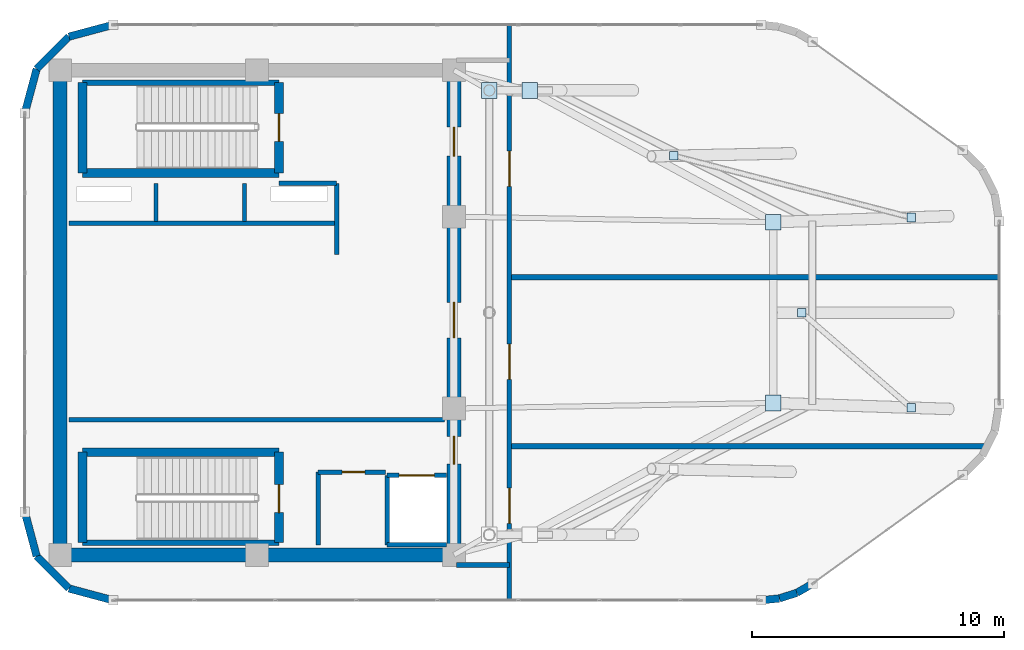
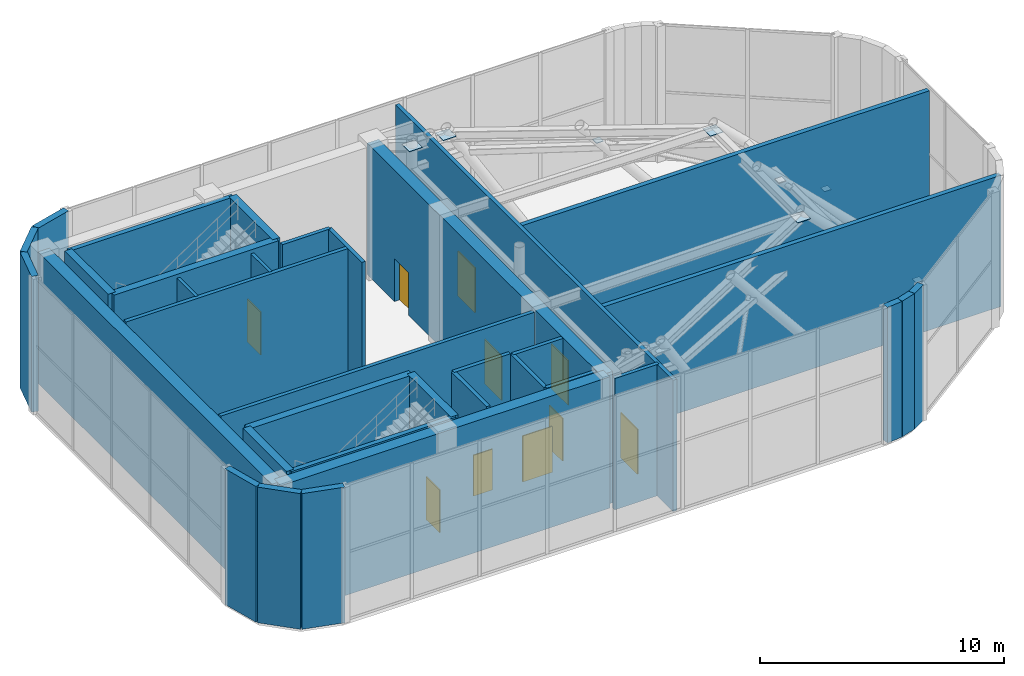
# One storey, part 21 of 23: 35 walls, 10 doors, 8 plates, 10 openings.
"""IFC4 building model written with IfcOpenShell, lengths in metres."""

from ifc_helpers import new_model, si_unit, direction, frame, frame_2d, origin, origin_2d, place, context, subcontext, project, spatial, rectangle, extrude, material, layer, layer_set, type_object, element, fill, save


model = new_model("IFC4")

# Units and contexts
model_context = context("Model", 3, precision=1e-05, world=origin(), true_north=direction((0.0, 1.0)))
body_context = subcontext(model_context, "Body", "Model", "MODEL_VIEW")
ifc_project = project(units=[si_unit("LENGTHUNIT", "METRE"), si_unit("AREAUNIT", "SQUARE_METRE"), si_unit("VOLUMEUNIT", "CUBIC_METRE"), si_unit("PLANEANGLEUNIT", "RADIAN"), si_unit("MASSUNIT", "GRAM", prefix="KILO")], contexts=[model_context])

# Site, building, storey
site_placement = place(None, origin())
site = spatial("IfcSite", under=ifc_project, at=site_placement, CompositionType="ELEMENT")
building_placement = place(site_placement, origin())
building = spatial("IfcBuilding", under=site, at=building_placement, Name="An Khanh Terracotta Commons", CompositionType="ELEMENT")
storey_placement = place(building_placement, frame((0.0, 0.0, 322.0)))
storey = spatial("IfcBuildingStorey", under=building, at=storey_placement, Name="L81 Crown Heat-Recovery Plant", CompositionType="ELEMENT", Elevation=322.0)

# Plates
ifc_material_1 = material(Name="Steel S460ML", Category="steel")
ifc_layer_1 = layer(ifc_material_1, 0.030029296875, Name="Steel S460ML")
ifc_layer_set_1 = layer_set([ifc_layer_1], Name="Steel S460ML")
plate_type_1 = type_object("IfcPlateType", Name="CROWN-CAP-PL", PredefinedType="USERDEFINED", material=ifc_layer_set_1)
for number, where, z_axis, x_axis, name in (
    (1, (55.31005859375, 20.23291015625, 1.3701171875), (0.0, 0.0, 1.0), (1.0, 0.0, 0.0), "L81 Crown Heat-Recovery Plant CROWN FRAME Brace End-Cap Plate 3A"),
    (2, (50.969970703125, 24.0, 5.61083984375), (0.0, 0.0, 1.0), (1.0, 0.0, 0.0), "L81 Crown Heat-Recovery Plant CROWN FRAME Brace End-Cap Plate 3B"),
    (3, (55.31005859375, 27.76708984375, 1.3701171875), (0.0, 0.0, 1.0), (1.0, 0.0, 0.0), "L81 Crown Heat-Recovery Plant CROWN FRAME Brace End-Cap Plate 4A"),
    (4, (45.9150390625, 30.208984375, 5.61083984375), (0.0, 0.0, 1.0), (1.0, 0.0, 0.0), "L81 Crown Heat-Recovery Plant CROWN FRAME Brace End-Cap Plate 4B"),
):
    element("IfcPlate", number, at=place(storey_placement, frame(where, z_axis=z_axis, x_axis=x_axis)), inside=storey, type_object=plate_type_1, Name=name, ObjectType="FLANGE_PLATE", PredefinedType="USERDEFINED", context=body_context, shape_type="SweptSolid", body=[
        extrude(rectangle(XDim=0.340087890625, YDim=0.340087890625, at=origin_2d()), origin(), (0.0, 0.0, 1.0), 0.030029296875),
    ])
ifc_layer_2 = layer(ifc_material_1, 0.02490234375, Name="Steel S460ML")
ifc_layer_set_2 = layer_set([ifc_layer_2], Name="Steel S460ML")
plate_type_2 = type_object("IfcPlateType", Name="PLATE-GUSSET-25", PredefinedType="USERDEFINED", material=ifc_layer_set_2)
for number, where, z_axis, x_axis, name in (
    (5, (49.85009765625, 20.419921875, 6.317626953125), (0.0, 0.0, 1.0), (1.0, 0.0, 0.0), "L81 Crown Heat-Recovery Plant CROWN FRAME Node End-Cap Plate 3"),
    (6, (49.85009765625, 27.580078125, 6.317626953125), (0.0, 0.0, 1.0), (1.0, 0.0, 0.0), "L81 Crown Heat-Recovery Plant CROWN FRAME Node End-Cap Plate 4"),
    (7, (40.199951171875, 32.800048828125, 6.317626953125), (0.0, 0.0, 1.0), (1.0, 0.0, 0.0), "L81 Crown Heat-Recovery Plant CROWN FRAME Node End-Cap Plate 5"),
    (8, (38.60009765625, 32.800048828125, 6.317626953125), (0.0, 0.0, 1.0), (1.0, 0.0, 0.0), "L81 Crown Heat-Recovery Plant CROWN FRAME Node End-Cap Plate 6"),
):
    element("IfcPlate", number, at=place(storey_placement, frame(where, z_axis=z_axis, x_axis=x_axis)), inside=storey, type_object=plate_type_2, Name=name, ObjectType="FLANGE_PLATE", PredefinedType="USERDEFINED", context=body_context, shape_type="SweptSolid", body=[
        extrude(rectangle(XDim=0.6201171875, YDim=0.6201171875, at=origin_2d()), origin(), (0.0, 0.0, 1.0), 0.02490234375),
    ])

# Walls
ifc_material_2 = material(Name="Concrete C50/60", Category="concrete")
ifc_layer_3 = layer(ifc_material_2, 0.550048828125, Name="Concrete C50/60")
ifc_layer_set_3 = layer_set([ifc_layer_3], Name="Concrete C50/60")
wall_type_1 = type_object("IfcWallType", Name="WALL-CORE-550", PredefinedType="SHEAR", material=ifc_layer_set_3)
wall_1_placement = place(storey_placement, frame((21.60009765625, 14.39990234375, 0.0), z_axis=(0.0, 0.0, 1.0), x_axis=(0.0, 1.0, 0.0)))
element("IfcWall", 9, at=wall_1_placement, inside=storey, type_object=wall_type_1, Name="L81 Crown Heat-Recovery Plant Core Wall CWALL-L81 Crown Heat-Recovery Plant-W", PredefinedType="SHEAR", context=body_context, shape_type="SweptSolid", body=[
    extrude(rectangle(XDim=19.2001953125, YDim=0.550048828125, at=frame_2d((9.60009765625, 0.0))), origin(), (0.0, 0.0, 1.0), 6.580078125),
])
wall_2_placement = place(storey_placement, frame((37.199951171875, 14.39990234375, 0.0), z_axis=(0.0, 0.0, 1.0), x_axis=(-1.0, 0.0, 0.0)))
element("IfcWall", 10, at=wall_2_placement, inside=storey, type_object=wall_type_1, Name="L81 Crown Heat-Recovery Plant Core Wall CWALL-L81 Crown Heat-Recovery Plant-S", PredefinedType="SHEAR", context=body_context, shape_type="SweptSolid", body=[
    extrude(rectangle(XDim=15.599853515625, YDim=0.550048828125, at=frame_2d((7.7998046875, 0.0))), origin(), (0.0, 0.0, 1.0), 6.580078125),
])

# Wall, openings, doors
wall_3_placement = place(storey_placement, frame((37.199951171875, 14.39990234375, 0.0), z_axis=(0.0, 0.0, 1.0), x_axis=(0.0, 1.0, 0.0)))
wall_3 = element("IfcWall", 11, at=wall_3_placement, inside=storey, type_object=wall_type_1, Name="L81 Crown Heat-Recovery Plant Core Wall CWALL-L81 Crown Heat-Recovery Plant-E", PredefinedType="SHEAR", context=body_context, shape_type="SweptSolid", body=[
    extrude(rectangle(XDim=19.2001953125, YDim=0.550048828125, at=frame_2d((9.60009765625, 0.0))), origin(), (0.0, 0.0, 1.0), 6.580078125),
])
opening_1_placement = place(wall_3_placement, frame((15.800048828125, 0.0, 0.0)))
opening_1 = element("IfcOpeningElement", 12, at=opening_1_placement, cuts=wall_3, Name="Opening D-FFL", PredefinedType="OPENING", context=body_context, shape_type="SweptSolid", body=[
    extrude(rectangle(XDim=1.14990234375, YDim=2.14990234375, at=frame_2d((0.574951171875, 1.074951171875))), frame((0.0, 0.284912109375, 0.0), z_axis=(0.0, -1.0, 0.0), x_axis=(1.0, 0.0, 0.0)), (0.0, 0.0, 1.0), 0.570068359375),
])
opening_2_placement = place(wall_3_placement, frame((3.60009765625, 0.0, 0.0)))
opening_2 = element("IfcOpeningElement", 13, at=opening_2_placement, cuts=wall_3, Name="Opening D-ST", PredefinedType="OPENING", context=body_context, shape_type="SweptSolid", body=[
    extrude(rectangle(XDim=1.10009765625, YDim=2.14990234375, at=frame_2d((0.550048828125, 1.074951171875))), frame((0.0, 0.284912109375, 0.0), z_axis=(0.0, -1.0, 0.0), x_axis=(1.0, 0.0, 0.0)), (0.0, 0.0, 1.0), 0.570068359375),
])
opening_3_placement = place(wall_3_placement, frame((8.60009765625, 0.0, 0.0)))
opening_3 = element("IfcOpeningElement", 14, at=opening_3_placement, cuts=wall_3, Name="Opening D-PL", PredefinedType="OPENING", context=body_context, shape_type="SweptSolid", body=[
    extrude(rectangle(XDim=1.39990234375, YDim=2.25, at=frame_2d((0.699951171875, 1.125))), frame((0.0, 0.284912109375, 0.0), z_axis=(0.0, -1.0, 0.0), x_axis=(1.0, 0.0, 0.0)), (0.0, 0.0, 1.0), 0.570068359375),
])
ifc_material_3 = material(Name="Fire-Rated Steel Leaf and Vision Panel", Category="steel")
door_type_1 = type_object("IfcDoorType", Name="DOOR-FFL-1150", OperationType="NOTDEFINED", PredefinedType="DOOR", material=ifc_material_3)
door_1_placement = place(opening_1_placement, origin())
door_1 = element("IfcDoor", 15, at=door_1_placement, inside=storey, type_object=door_type_1, Name="L81 Crown Heat-Recovery Plant Firefighting Lift Lobby Fire Door", OperationType="SINGLE_SWING_RIGHT", OverallHeight=2.14990234375, OverallWidth=1.14990234375, PredefinedType="DOOR", context=body_context, shape_type="SweptSolid", body=[
    extrude(rectangle(XDim=1.14990234375, YDim=2.14990234375, at=frame_2d((0.574951171875, 1.074951171875))), frame((0.0, 0.02490234375, 0.0), z_axis=(0.0, -1.0, 0.0), x_axis=(1.0, 0.0, 0.0)), (0.0, 0.0, 1.0), 0.050048828125),
])
fill(opening_1, door_1)
ifc_material_4 = material(Name="Heavy-Duty Acoustic Steel Double Plant Door", Category="steel")
door_type_2 = type_object("IfcDoorType", Name="DOOR-PLANT-1400", OperationType="NOTDEFINED", PredefinedType="DOOR", material=ifc_material_4)
door_2_placement = place(opening_3_placement, origin())
door_2 = element("IfcDoor", 16, at=door_2_placement, inside=storey, type_object=door_type_2, Name="L81 Crown Heat-Recovery Plant Crown Core Lobby Door", OperationType="DOUBLE_DOOR_SINGLE_SWING", OverallHeight=2.25, OverallWidth=1.39990234375, PredefinedType="DOOR", context=body_context, shape_type="SweptSolid", body=[
    extrude(rectangle(XDim=1.39990234375, YDim=2.25, at=frame_2d((0.699951171875, 1.125))), frame((0.0, 0.02490234375, 0.0), z_axis=(0.0, -1.0, 0.0), x_axis=(1.0, 0.0, 0.0)), (0.0, 0.0, 1.0), 0.050048828125),
])
fill(opening_3, door_2)
ifc_material_5 = material(Name="Fire-Rated Steel Leaf and Frame", Category="steel")
door_type_3 = type_object("IfcDoorType", Name="DOOR-STAIR-1100", OperationType="NOTDEFINED", PredefinedType="DOOR", material=ifc_material_5)
door_3_placement = place(opening_2_placement, origin())
door_3 = element("IfcDoor", 17, at=door_3_placement, inside=storey, type_object=door_type_3, Name="L81 Crown Heat-Recovery Plant South Stair Lobby Fire Door", OperationType="SINGLE_SWING_LEFT", OverallHeight=2.14990234375, OverallWidth=1.10009765625, PredefinedType="DOOR", context=body_context, shape_type="SweptSolid", body=[
    extrude(rectangle(XDim=1.10009765625, YDim=2.14990234375, at=frame_2d((0.550048828125, 1.074951171875))), frame((0.0, 0.02490234375, 0.0), z_axis=(0.0, -1.0, 0.0), x_axis=(1.0, 0.0, 0.0)), (0.0, 0.0, 1.0), 0.050048828125),
])
fill(opening_2, door_3)

# Walls
ifc_material_6 = material(Name="Fire-Rated Gypsum Board on Steel Stud", Category="steel")
ifc_layer_4 = layer(ifc_material_6, 0.179931640625, Name="Fire-Rated Gypsum Board on Steel Stud")
ifc_layer_set_4 = layer_set([ifc_layer_4], Name="Fire-Rated Gypsum Board on Steel Stud")
wall_type_2 = type_object("IfcWallType", Name="WALL-CORR-180", PredefinedType="PARTITIONING", material=ifc_layer_set_4)
wall_4_placement = place(storey_placement, frame((30.27001953125, 29.1201171875, 0.0), z_axis=(0.0, 0.0, 1.0), x_axis=(1.0, 0.0, 0.0)))
element("IfcWall", 18, at=wall_4_placement, inside=storey, type_object=wall_type_2, Name="L81 Crown Heat-Recovery Plant Core Wall FFLW-L81 Crown Heat-Recovery Plant-S", PredefinedType="PARTITIONING", context=body_context, shape_type="SweptSolid", body=[
    extrude(rectangle(XDim=2.280029296875, YDim=0.179931640625, at=frame_2d((1.14013671875, 0.0))), origin(), (0.0, 0.0, 1.0), 6.580078125),
])
wall_5_placement = place(storey_placement, frame((21.949951171875, 27.5400390625, 0.0), z_axis=(0.0, 0.0, 1.0), x_axis=(1.0, 0.0, 0.0)))
element("IfcWall", 19, at=wall_5_placement, inside=storey, type_object=wall_type_2, Name="L81 Crown Heat-Recovery Plant Core Wall RSRW-L81 Crown Heat-Recovery Plant-S", PredefinedType="PARTITIONING", context=body_context, shape_type="SweptSolid", body=[
    extrude(rectangle(XDim=10.60009765625, YDim=0.179931640625, at=frame_2d((5.300048828125, 0.0))), origin(), (0.0, 0.0, 1.0), 6.580078125),
])
wall_6_placement = place(storey_placement, frame((32.550048828125, 26.300048828125, 0.0), z_axis=(0.0, 0.0, 1.0), x_axis=(0.0, 1.0, 0.0)))
element("IfcWall", 20, at=wall_6_placement, inside=storey, type_object=wall_type_2, Name="L81 Crown Heat-Recovery Plant Core Wall RSRW-L81 Crown Heat-Recovery Plant-E", PredefinedType="PARTITIONING", context=body_context, shape_type="SweptSolid", body=[
    extrude(rectangle(XDim=2.820068359375, YDim=0.179931640625, at=frame_2d((1.41015625, 0.0))), origin(), (0.0, 0.0, 1.0), 6.580078125),
])
wall_7_placement = place(storey_placement, frame((21.949951171875, 19.760009765625, 0.0), z_axis=(0.0, 0.0, 1.0), x_axis=(1.0, 0.0, 0.0)))
element("IfcWall", 21, at=wall_7_placement, inside=storey, type_object=wall_type_2, Name="L81 Crown Heat-Recovery Plant Core Wall SVW-L81 Crown Heat-Recovery Plant-N", PredefinedType="PARTITIONING", context=body_context, shape_type="SweptSolid", body=[
    extrude(rectangle(XDim=14.8701171875, YDim=0.179931640625, at=frame_2d((7.43505859375, 0.0))), origin(), (0.0, 0.0, 1.0), 6.580078125),
])

# Wall, opening, door
wall_8_placement = place(storey_placement, frame((31.820068359375, 17.679931640625, 0.0), z_axis=(0.0, 0.0, 1.0), x_axis=(1.0, 0.0, 0.0)))
wall_8 = element("IfcWall", 22, at=wall_8_placement, inside=storey, type_object=wall_type_2, Name="L81 Crown Heat-Recovery Plant Core Wall SSVCW-L81 Crown Heat-Recovery Plant-N", PredefinedType="PARTITIONING", context=body_context, shape_type="SweptSolid", body=[
    extrude(rectangle(XDim=2.659912109375, YDim=0.179931640625, at=frame_2d((1.330078125, 0.0))), origin(), (0.0, 0.0, 1.0), 6.580078125),
])
opening_4_placement = place(wall_8_placement, frame((0.949951171875, 0.0, 0.0)))
opening_4 = element("IfcOpeningElement", 23, at=opening_4_placement, cuts=wall_8, Name="Opening D-SV", PredefinedType="OPENING", context=body_context, shape_type="SweptSolid", body=[
    extrude(rectangle(XDim=0.89990234375, YDim=2.050048828125, at=frame_2d((0.449951171875, 1.02490234375))), frame((0.0, 0.099853515625, 0.0), z_axis=(0.0, -1.0, 0.0), x_axis=(1.0, 0.0, 0.0)), (0.0, 0.0, 1.0), 0.199951171875),
])
ifc_material_7 = material(Name="Fire-Rated Powder-Coated Steel Door", Category="steel")
door_type_4 = type_object("IfcDoorType", Name="DOOR-SERV-900", OperationType="NOTDEFINED", PredefinedType="DOOR", material=ifc_material_7)
door_4_placement = place(opening_4_placement, origin())
door_4 = element("IfcDoor", 24, at=door_4_placement, inside=storey, type_object=door_type_4, Name="L81 Crown Heat-Recovery Plant Core Housekeeping Store Door", OperationType="SINGLE_SWING_RIGHT", OverallHeight=2.050048828125, OverallWidth=0.89990234375, PredefinedType="DOOR", context=body_context, shape_type="SweptSolid", body=[
    extrude(rectangle(XDim=0.89990234375, YDim=2.050048828125, at=frame_2d((0.449951171875, 1.02490234375))), frame((0.0, 0.02490234375, 0.0), z_axis=(0.0, -1.0, 0.0), x_axis=(1.0, 0.0, 0.0)), (0.0, 0.0, 1.0), 0.050048828125),
])
fill(opening_4, door_4)

# Wall
wall_9_placement = place(storey_placement, frame((31.820068359375, 14.800048828125, 0.0), z_axis=(0.0, 0.0, 1.0), x_axis=(0.0, 1.0, 0.0)))
element("IfcWall", 25, at=wall_9_placement, inside=storey, type_object=wall_type_2, Name="L81 Crown Heat-Recovery Plant Core Wall SSVCW-L81 Crown Heat-Recovery Plant-W", PredefinedType="PARTITIONING", context=body_context, shape_type="SweptSolid", body=[
    extrude(rectangle(XDim=2.8798828125, YDim=0.179931640625, at=frame_2d((1.43994140625, 0.0))), origin(), (0.0, 0.0, 1.0), 6.580078125),
])

# Wall, opening, door
wall_10_placement = place(storey_placement, frame((34.550048828125, 17.550048828125, 0.0), z_axis=(0.0, 0.0, 1.0), x_axis=(1.0, 0.0, 0.0)))
wall_10 = element("IfcWall", 26, at=wall_10_placement, inside=storey, type_object=wall_type_2, Name="L81 Crown Heat-Recovery Plant Core Wall LSH-L81 Crown Heat-Recovery Plant-SVL-01-N", PredefinedType="PARTITIONING", context=body_context, shape_type="SweptSolid", body=[
    extrude(rectangle(XDim=2.349853515625, YDim=0.179931640625, at=frame_2d((1.1748046875, 0.0))), origin(), (0.0, 0.0, 1.0), 6.580078125),
])
opening_5_placement = place(wall_10_placement, frame((0.47509765625, 0.0, 0.0)))
opening_5 = element("IfcOpeningElement", 27, at=opening_5_placement, cuts=wall_10, Name="Opening LD-SVL-01-L81 Crown Heat-Recovery Plant", PredefinedType="OPENING", context=body_context, shape_type="SweptSolid", body=[
    extrude(rectangle(XDim=1.39990234375, YDim=2.300048828125, at=frame_2d((0.699951171875, 1.14990234375))), frame((0.0, 0.099853515625, 0.0), z_axis=(0.0, -1.0, 0.0), x_axis=(1.0, 0.0, 0.0)), (0.0, 0.0, 1.0), 0.199951171875),
])
ifc_material_8 = material(Name="Heavy-Duty Stainless Steel Goods Landing Door", Category="steel")
door_type_5 = type_object("IfcDoorType", Name="DOOR-LD-SVL-1400", OperationType="NOTDEFINED", PredefinedType="DOOR", material=ifc_material_8)
door_5_placement = place(opening_5_placement, origin())
door_5 = element("IfcDoor", 28, at=door_5_placement, inside=storey, type_object=door_type_5, Name="L81 Crown Heat-Recovery Plant Lift SVL-01 Sliding Landing Door", OperationType="DOUBLE_DOOR_SLIDING", OverallHeight=2.300048828125, OverallWidth=1.39990234375, PredefinedType="DOOR", context=body_context, shape_type="SweptSolid", body=[
    extrude(rectangle(XDim=1.39990234375, YDim=2.300048828125, at=frame_2d((0.699951171875, 1.14990234375))), frame((0.0, 0.02490234375, 0.0), z_axis=(0.0, -1.0, 0.0), x_axis=(1.0, 0.0, 0.0)), (0.0, 0.0, 1.0), 0.050048828125),
])
fill(opening_5, door_5)

# Walls
wall_11_placement = place(storey_placement, frame((36.89990234375, 14.800048828125, 0.0), z_axis=(0.0, 0.0, 1.0), x_axis=(-1.0, 0.0, 0.0)))
element("IfcWall", 29, at=wall_11_placement, inside=storey, type_object=wall_type_2, Name="L81 Crown Heat-Recovery Plant Core Wall LSH-L81 Crown Heat-Recovery Plant-SVL-01-S", PredefinedType="PARTITIONING", context=body_context, shape_type="SweptSolid", body=[
    extrude(rectangle(XDim=2.349853515625, YDim=0.179931640625, at=frame_2d((1.1748046875, 0.0))), origin(), (0.0, 0.0, 1.0), 6.580078125),
])
wall_12_placement = place(storey_placement, frame((34.550048828125, 17.550048828125, 0.0), z_axis=(0.0, 0.0, 1.0), x_axis=(0.0, -1.0, 0.0)))
element("IfcWall", 30, at=wall_12_placement, inside=storey, type_object=wall_type_2, Name="L81 Crown Heat-Recovery Plant Core Wall LSH-L81 Crown Heat-Recovery Plant-SVL-01-W", PredefinedType="PARTITIONING", context=body_context, shape_type="SweptSolid", body=[
    extrude(rectangle(XDim=2.75, YDim=0.179931640625, at=frame_2d((1.375, 0.0))), origin(), (0.0, 0.0, 1.0), 6.580078125),
])
wall_13_placement = place(storey_placement, frame((37.300048828125, 14.0, 0.0), z_axis=(0.0, 0.0, 1.0), x_axis=(1.0, 0.0, 0.0)))
element("IfcWall", 31, at=wall_13_placement, inside=storey, type_object=wall_type_2, Name="L81 Crown Heat-Recovery Plant Interior Partition IW-L81 Crown Heat-Recovery Plant-E001", PredefinedType="PARTITIONING", context=body_context, shape_type="SweptSolid", body=[
    extrude(rectangle(XDim=2.099853515625, YDim=0.179931640625, at=frame_2d((1.0498046875, 0.0))), origin(), (0.0, 0.0, 1.0), 6.580078125),
])

# Wall, openings, doors
wall_14_placement = place(storey_placement, frame((39.39990234375, 12.60009765625, 0.0), z_axis=(0.0, 0.0, 1.0), x_axis=(0.0, 1.0, 0.0)))
wall_14 = element("IfcWall", 32, at=wall_14_placement, inside=storey, type_object=wall_type_2, Name="L81 Crown Heat-Recovery Plant Interior Partition IW-L81 Crown Heat-Recovery Plant-E005", PredefinedType="PARTITIONING", context=body_context, shape_type="SweptSolid", body=[
    extrude(rectangle(XDim=22.7998046875, YDim=0.179931640625, at=frame_2d((11.39990234375, 0.0))), origin(), (0.0, 0.0, 1.0), 6.580078125),
])
opening_6_placement = place(wall_14_placement, frame((16.39990234375, 0.0, 0.0)))
opening_6 = element("IfcOpeningElement", 33, at=opening_6_placement, cuts=wall_14, Name="Opening D-PL", PredefinedType="OPENING", context=body_context, shape_type="SweptSolid", body=[
    extrude(rectangle(XDim=1.39990234375, YDim=2.25, at=frame_2d((0.699951171875, 1.125))), frame((0.0, 0.099853515625, 0.0), z_axis=(0.0, -1.0, 0.0), x_axis=(1.0, 0.0, 0.0)), (0.0, 0.0, 1.0), 0.199951171875),
])
opening_7_placement = place(wall_14_placement, frame((8.75, 0.0, 0.0)))
opening_7 = element("IfcOpeningElement", 34, at=opening_7_placement, cuts=wall_14, Name="Opening D-PL", PredefinedType="OPENING", context=body_context, shape_type="SweptSolid", body=[
    extrude(rectangle(XDim=1.39990234375, YDim=2.25, at=frame_2d((0.699951171875, 1.125))), frame((0.0, 0.099853515625, 0.0), z_axis=(0.0, -1.0, 0.0), x_axis=(1.0, 0.0, 0.0)), (0.0, 0.0, 1.0), 0.199951171875),
])
opening_8_placement = place(wall_14_placement, frame((3.050048828125, 0.0, 0.0)))
opening_8 = element("IfcOpeningElement", 35, at=opening_8_placement, cuts=wall_14, Name="Opening D-PL", PredefinedType="OPENING", context=body_context, shape_type="SweptSolid", body=[
    extrude(rectangle(XDim=1.39990234375, YDim=2.25, at=frame_2d((0.699951171875, 1.125))), frame((0.0, 0.099853515625, 0.0), z_axis=(0.0, -1.0, 0.0), x_axis=(1.0, 0.0, 0.0)), (0.0, 0.0, 1.0), 0.199951171875),
])
door_6_placement = place(opening_6_placement, origin())
door_6 = element("IfcDoor", 36, at=door_6_placement, inside=storey, type_object=door_type_2, Name="L81 Crown Heat-Recovery Plant HRV Ventilation Air Handling Plant Room Door", OperationType="DOUBLE_DOOR_SINGLE_SWING", OverallHeight=2.25, OverallWidth=1.39990234375, PredefinedType="DOOR", context=body_context, shape_type="SweptSolid", body=[
    extrude(rectangle(XDim=1.39990234375, YDim=2.25, at=frame_2d((0.699951171875, 1.125))), frame((0.0, 0.02490234375, 0.0), z_axis=(0.0, -1.0, 0.0), x_axis=(1.0, 0.0, 0.0)), (0.0, 0.0, 1.0), 0.050048828125),
])
fill(opening_6, door_6)
door_7_placement = place(opening_7_placement, origin())
door_7 = element("IfcDoor", 37, at=door_7_placement, inside=storey, type_object=door_type_2, Name="L81 Crown Heat-Recovery Plant PFAN Booster Water Pump Plant Room Door", OperationType="DOUBLE_DOOR_SINGLE_SWING", OverallHeight=2.25, OverallWidth=1.39990234375, PredefinedType="DOOR", context=body_context, shape_type="SweptSolid", body=[
    extrude(rectangle(XDim=1.39990234375, YDim=2.25, at=frame_2d((0.699951171875, 1.125))), frame((0.0, 0.02490234375, 0.0), z_axis=(0.0, -1.0, 0.0), x_axis=(1.0, 0.0, 0.0)), (0.0, 0.0, 1.0), 0.050048828125),
])
fill(opening_7, door_7)
door_8_placement = place(opening_8_placement, origin())
door_8 = element("IfcDoor", 38, at=door_8_placement, inside=storey, type_object=door_type_2, Name="L81 Crown Heat-Recovery Plant UPS Emergency Electrical Switchgear Plant Room Door", OperationType="DOUBLE_DOOR_SINGLE_SWING", OverallHeight=2.25, OverallWidth=1.39990234375, PredefinedType="DOOR", context=body_context, shape_type="SweptSolid", body=[
    extrude(rectangle(XDim=1.39990234375, YDim=2.25, at=frame_2d((0.699951171875, 1.125))), frame((0.0, 0.02490234375, 0.0), z_axis=(0.0, -1.0, 0.0), x_axis=(1.0, 0.0, 0.0)), (0.0, 0.0, 1.0), 0.050048828125),
])
fill(opening_8, door_8)

# Walls
ifc_material_9 = material(Name="Precast concrete C40/50", Category="concrete")
ifc_layer_5 = layer(ifc_material_9, 0.300048828125, Name="Precast concrete C40/50")
ifc_layer_set_5 = layer_set([ifc_layer_5], Name="Precast concrete C40/50")
wall_type_3 = type_object("IfcWallType", Name="WALL-EXT-300", PredefinedType="SOLIDWALL", material=ifc_layer_set_5)
wall_15_placement = place(storey_placement, frame((20.199951171875, 16.10009765625, 0.0), z_axis=(0.0, 0.0, 1.0), x_axis=(0.258861815711, -0.965914364924, 0.0)))
element("IfcWall", 39, at=wall_15_placement, inside=storey, type_object=wall_type_3, Name="L81 Crown Heat-Recovery Plant Crown Facet Corner Closure 1", PredefinedType="SOLIDWALL", context=body_context, shape_type="SweptSolid", body=[
    extrude(rectangle(XDim=1.811767578125, YDim=0.300048828125, at=frame_2d((0.90576171875, 0.0))), origin(), (0.0, 0.0, 1.0), 6.800048828125),
])
wall_16_placement = place(storey_placement, frame((20.6689453125, 14.35009765625, 0.0), z_axis=(0.0, 0.0, 1.0), x_axis=(0.707106781187, -0.707106781187, 0.0)))
element("IfcWall", 40, at=wall_16_placement, inside=storey, type_object=wall_type_3, Name="L81 Crown Heat-Recovery Plant Crown Facet Corner Closure 2", PredefinedType="SOLIDWALL", context=body_context, shape_type="SweptSolid", body=[
    extrude(rectangle(XDim=1.8115234375, YDim=0.300048828125, at=frame_2d((0.90576171875, 0.0))), origin(), (0.0, 0.0, 1.0), 6.800048828125),
])
wall_17_placement = place(storey_placement, frame((21.949951171875, 13.069091796875, 0.0), z_axis=(0.0, 0.0, 1.0), x_axis=(0.965914364924, -0.258861815711, 0.0)))
element("IfcWall", 41, at=wall_17_placement, inside=storey, type_object=wall_type_3, Name="L81 Crown Heat-Recovery Plant Crown Facet Corner Closure 3", PredefinedType="SOLIDWALL", context=body_context, shape_type="SweptSolid", body=[
    extrude(rectangle(XDim=1.811767578125, YDim=0.300048828125, at=frame_2d((0.90576171875, 0.0))), origin(), (0.0, 0.0, 1.0), 6.800048828125),
])
for number, where, z_axis, x_axis, name in (
    (42, (49.366943359375, 12.60009765625, 0.0), (0.0, 0.0, 1.0), (0.99456218804, 0.104144390734, 0.0), "L81 Crown Heat-Recovery Plant Crown Facet Corner Closure 5"),
    (43, (50.092041015625, 12.676025390625, 0.0), (0.0, 0.0, 1.0), (0.951686522408, 0.307071267082, 0.0), "L81 Crown Heat-Recovery Plant Crown Facet Corner Closure 6"),
):
    element("IfcWall", number, at=place(storey_placement, frame(where, z_axis=z_axis, x_axis=x_axis)), inside=storey, type_object=wall_type_3, Name=name, PredefinedType="SOLIDWALL", context=body_context, shape_type="SweptSolid", body=[
        extrude(rectangle(XDim=0.72900390625, YDim=0.300048828125, at=frame_2d((0.364501953125, 0.0))), origin(), (0.0, 0.0, 1.0), 6.800048828125),
    ])
wall_18_placement = place(storey_placement, frame((50.785888671875, 12.89990234375, 0.0), z_axis=(0.0, 0.0, 1.0), x_axis=(0.866569821449, 0.49905585314, 0.0)))
element("IfcWall", 44, at=wall_18_placement, inside=storey, type_object=wall_type_3, Name="L81 Crown Heat-Recovery Plant Crown Facet Corner Closure 7", PredefinedType="SOLIDWALL", context=body_context, shape_type="SweptSolid", body=[
    extrude(rectangle(XDim=0.7294921875, YDim=0.300048828125, at=frame_2d((0.36474609375, 0.0))), origin(), (0.0, 0.0, 1.0), 6.800048828125),
])
wall_19_placement = place(storey_placement, frame((23.699951171875, 35.39990234375, 0.0), z_axis=(0.0, 0.0, 1.0), x_axis=(-0.965914364924, -0.258861815711, 0.0)))
element("IfcWall", 45, at=wall_19_placement, inside=storey, type_object=wall_type_3, Name="L81 Crown Heat-Recovery Plant Crown Facet Corner Closure 21", PredefinedType="SOLIDWALL", context=body_context, shape_type="SweptSolid", body=[
    extrude(rectangle(XDim=1.811767578125, YDim=0.300048828125, at=frame_2d((0.90576171875, 0.0))), origin(), (0.0, 0.0, 1.0), 6.800048828125),
])
wall_20_placement = place(storey_placement, frame((21.949951171875, 34.930908203125, 0.0), z_axis=(0.0, 0.0, 1.0), x_axis=(-0.707106781187, -0.707106781187, 0.0)))
element("IfcWall", 46, at=wall_20_placement, inside=storey, type_object=wall_type_3, Name="L81 Crown Heat-Recovery Plant Crown Facet Corner Closure 22", PredefinedType="SOLIDWALL", context=body_context, shape_type="SweptSolid", body=[
    extrude(rectangle(XDim=1.8115234375, YDim=0.300048828125, at=frame_2d((0.90576171875, 0.0))), origin(), (0.0, 0.0, 1.0), 6.800048828125),
])
wall_21_placement = place(storey_placement, frame((20.6689453125, 33.64990234375, 0.0), z_axis=(0.0, 0.0, 1.0), x_axis=(-0.258861815711, -0.965914364924, 0.0)))
element("IfcWall", 47, at=wall_21_placement, inside=storey, type_object=wall_type_3, Name="L81 Crown Heat-Recovery Plant Crown Facet Corner Closure 23", PredefinedType="SOLIDWALL", context=body_context, shape_type="SweptSolid", body=[
    extrude(rectangle(XDim=1.811767578125, YDim=0.300048828125, at=frame_2d((0.90576171875, 0.0))), origin(), (0.0, 0.0, 1.0), 6.800048828125),
])
ifc_material_10 = material(Name="Acoustic Gypsum Board Partition")
ifc_layer_6 = layer(ifc_material_10, 0.14990234375, Name="Acoustic Gypsum Board Partition")
ifc_layer_set_6 = layer_set([ifc_layer_6], Name="Acoustic Gypsum Board Partition")
wall_type_4 = type_object("IfcWallType", Name="WALL-PART-150", PredefinedType="PARTITIONING", material=ifc_layer_set_6)
for number, where, z_axis, x_axis, name in (
    (48, (25.39990234375, 27.60009765625, 0.0), (0.0, 0.0, 1.0), (0.0, 1.0, 0.0), "L81 Crown Heat-Recovery Plant Core Wall RSRW-L81 Crown Heat-Recovery Plant-D1"),
    (49, (28.89990234375, 27.60009765625, 0.0), (0.0, 0.0, 1.0), (0.0, 1.0, 0.0), "L81 Crown Heat-Recovery Plant Core Wall RSRW-L81 Crown Heat-Recovery Plant-D2"),
):
    element("IfcWall", number, at=place(storey_placement, frame(where, z_axis=z_axis, x_axis=x_axis)), inside=storey, type_object=wall_type_4, Name=name, PredefinedType="PARTITIONING", context=body_context, shape_type="SweptSolid", body=[
        extrude(rectangle(XDim=1.52001953125, YDim=0.14990234375, at=frame_2d((0.760009765625, 0.0))), origin(), (0.0, 0.0, 1.0), 6.580078125),
    ])
ifc_material_11 = material(Name="Acoustic Double-Stud Gypsum and Mineral Wool")
ifc_layer_7 = layer(ifc_material_11, 0.219970703125, Name="Acoustic Double-Stud Gypsum and Mineral Wool")
ifc_layer_set_7 = layer_set([ifc_layer_7], Name="Acoustic Double-Stud Gypsum and Mineral Wool")
wall_type_5 = type_object("IfcWallType", Name="WALL-PARTY-220", PredefinedType="PARTITIONING", material=ifc_layer_set_7)
for number, where, z_axis, x_axis, name in (
    (50, (22.47998046875, 33.110107421875, 0.0), (0.0, 0.0, 1.0), (1.0, 0.0, 0.0), "L81 Crown Heat-Recovery Plant Core Wall STW-L81 Crown Heat-Recovery Plant-N-N"),
    (51, (22.47998046875, 14.889892578125, 0.0), (0.0, 0.0, 1.0), (1.0, 0.0, 0.0), "L81 Crown Heat-Recovery Plant Core Wall STW-L81 Crown Heat-Recovery Plant-S-S"),
):
    element("IfcWall", number, at=place(storey_placement, frame(where, z_axis=z_axis, x_axis=x_axis)), inside=storey, type_object=wall_type_5, Name=name, PredefinedType="PARTITIONING", context=body_context, shape_type="SweptSolid", body=[
        extrude(rectangle(XDim=7.7900390625, YDim=0.219970703125, at=frame_2d((3.89501953125, 0.0))), origin(), (0.0, 0.0, 1.0), 6.580078125),
    ])
wall_22_placement = place(storey_placement, frame((39.39990234375, 18.699951171875, 0.0), z_axis=(0.0, 0.0, 1.0), x_axis=(1.0, 0.0, 0.0)))
element("IfcWall", 52, at=wall_22_placement, inside=storey, type_object=wall_type_5, Name="L81 Crown Heat-Recovery Plant Interior Partition IW-L81 Crown Heat-Recovery Plant-E002", PredefinedType="PARTITIONING", context=body_context, shape_type="SweptSolid", body=[
    extrude(rectangle(XDim=18.919189453125, YDim=0.219970703125, at=frame_2d((9.45947265625, 0.0))), origin(), (0.0, 0.0, 1.0), 6.580078125),
])
wall_23_placement = place(storey_placement, frame((39.39990234375, 25.39990234375, 0.0), z_axis=(0.0, 0.0, 1.0), x_axis=(1.0, 0.0, 0.0)))
element("IfcWall", 53, at=wall_23_placement, inside=storey, type_object=wall_type_5, Name="L81 Crown Heat-Recovery Plant Interior Partition IW-L81 Crown Heat-Recovery Plant-E003", PredefinedType="PARTITIONING", context=body_context, shape_type="SweptSolid", body=[
    extrude(rectangle(XDim=19.400146484375, YDim=0.219970703125, at=frame_2d((9.7001953125, 0.0))), origin(), (0.0, 0.0, 1.0), 6.580078125),
])
ifc_layer_8 = layer(ifc_material_2, 0.35009765625, Name="Concrete C50/60")
ifc_layer_set_8 = layer_set([ifc_layer_8], Name="Concrete C50/60")
wall_type_6 = type_object("IfcWallType", Name="WALL-SHAFT-350", PredefinedType="SOLIDWALL", material=ifc_layer_set_8)
wall_24_placement = place(storey_placement, frame((22.47998046875, 29.530029296875, 0.0), z_axis=(0.0, 0.0, 1.0), x_axis=(1.0, 0.0, 0.0)))
element("IfcWall", 54, at=wall_24_placement, inside=storey, type_object=wall_type_6, Name="L81 Crown Heat-Recovery Plant Core Wall STW-L81 Crown Heat-Recovery Plant-N-S", PredefinedType="SOLIDWALL", context=body_context, shape_type="SweptSolid", body=[
    extrude(rectangle(XDim=7.7900390625, YDim=0.35009765625, at=frame_2d((3.89501953125, 0.0))), origin(), (0.0, 0.0, 1.0), 6.580078125),
])
wall_25_placement = place(storey_placement, frame((22.47998046875, 29.530029296875, 0.0), z_axis=(0.0, 0.0, 1.0), x_axis=(0.0, 1.0, 0.0)))
element("IfcWall", 55, at=wall_25_placement, inside=storey, type_object=wall_type_6, Name="L81 Crown Heat-Recovery Plant Core Wall STW-L81 Crown Heat-Recovery Plant-N-W", PredefinedType="SOLIDWALL", context=body_context, shape_type="SweptSolid", body=[
    extrude(rectangle(XDim=3.580078125, YDim=0.35009765625, at=frame_2d((1.7900390625, 0.0))), origin(), (0.0, 0.0, 1.0), 6.580078125),
])

# Wall, opening, door
wall_26_placement = place(storey_placement, frame((30.27001953125, 29.530029296875, 0.0), z_axis=(0.0, 0.0, 1.0), x_axis=(0.0, 1.0, 0.0)))
wall_26 = element("IfcWall", 56, at=wall_26_placement, inside=storey, type_object=wall_type_6, Name="L81 Crown Heat-Recovery Plant Core Wall STW-L81 Crown Heat-Recovery Plant-N-E", PredefinedType="SOLIDWALL", context=body_context, shape_type="SweptSolid", body=[
    extrude(rectangle(XDim=3.580078125, YDim=0.35009765625, at=frame_2d((1.7900390625, 0.0))), origin(), (0.0, 0.0, 1.0), 6.580078125),
])
opening_9_placement = place(wall_26_placement, frame((1.25, 0.0, 0.0)))
opening_9 = element("IfcOpeningElement", 57, at=opening_9_placement, cuts=wall_26, Name="Opening D-ST", PredefinedType="OPENING", context=body_context, shape_type="SweptSolid", body=[
    extrude(rectangle(XDim=1.10009765625, YDim=2.14990234375, at=frame_2d((0.550048828125, 1.074951171875))), frame((0.0, 0.18505859375, 0.0), z_axis=(0.0, -1.0, 0.0), x_axis=(1.0, 0.0, 0.0)), (0.0, 0.0, 1.0), 0.3701171875),
])
door_9_placement = place(opening_9_placement, origin())
door_9 = element("IfcDoor", 58, at=door_9_placement, inside=storey, type_object=door_type_3, Name="L81 Crown Heat-Recovery Plant Stair ST-01 Fire Door", OperationType="SINGLE_SWING_RIGHT", OverallHeight=2.14990234375, OverallWidth=1.10009765625, PredefinedType="DOOR", context=body_context, shape_type="SweptSolid", body=[
    extrude(rectangle(XDim=1.10009765625, YDim=2.14990234375, at=frame_2d((0.550048828125, 1.074951171875))), frame((0.0, 0.02490234375, 0.0), z_axis=(0.0, -1.0, 0.0), x_axis=(1.0, 0.0, 0.0)), (0.0, 0.0, 1.0), 0.050048828125),
])
fill(opening_9, door_9)

# Walls
wall_27_placement = place(storey_placement, frame((22.47998046875, 18.469970703125, 0.0), z_axis=(0.0, 0.0, 1.0), x_axis=(1.0, 0.0, 0.0)))
element("IfcWall", 59, at=wall_27_placement, inside=storey, type_object=wall_type_6, Name="L81 Crown Heat-Recovery Plant Core Wall STW-L81 Crown Heat-Recovery Plant-S-N", PredefinedType="SOLIDWALL", context=body_context, shape_type="SweptSolid", body=[
    extrude(rectangle(XDim=7.7900390625, YDim=0.35009765625, at=frame_2d((3.89501953125, 0.0))), origin(), (0.0, 0.0, 1.0), 6.580078125),
])
wall_28_placement = place(storey_placement, frame((22.47998046875, 14.889892578125, 0.0), z_axis=(0.0, 0.0, 1.0), x_axis=(0.0, 1.0, 0.0)))
element("IfcWall", 60, at=wall_28_placement, inside=storey, type_object=wall_type_6, Name="L81 Crown Heat-Recovery Plant Core Wall STW-L81 Crown Heat-Recovery Plant-S-W", PredefinedType="SOLIDWALL", context=body_context, shape_type="SweptSolid", body=[
    extrude(rectangle(XDim=3.580078125, YDim=0.35009765625, at=frame_2d((1.7900390625, 0.0))), origin(), (0.0, 0.0, 1.0), 6.580078125),
])

# Wall, opening, door
wall_29_placement = place(storey_placement, frame((30.27001953125, 14.889892578125, 0.0), z_axis=(0.0, 0.0, 1.0), x_axis=(0.0, 1.0, 0.0)))
wall_29 = element("IfcWall", 61, at=wall_29_placement, inside=storey, type_object=wall_type_6, Name="L81 Crown Heat-Recovery Plant Core Wall STW-L81 Crown Heat-Recovery Plant-S-E", PredefinedType="SOLIDWALL", context=body_context, shape_type="SweptSolid", body=[
    extrude(rectangle(XDim=3.580078125, YDim=0.35009765625, at=frame_2d((1.7900390625, 0.0))), origin(), (0.0, 0.0, 1.0), 6.580078125),
])
opening_10_placement = place(wall_29_placement, frame((1.18994140625, 0.0, 0.0)))
opening_10 = element("IfcOpeningElement", 62, at=opening_10_placement, cuts=wall_29, Name="Opening D-ST", PredefinedType="OPENING", context=body_context, shape_type="SweptSolid", body=[
    extrude(rectangle(XDim=1.10009765625, YDim=2.14990234375, at=frame_2d((0.550048828125, 1.074951171875))), frame((0.0, 0.18505859375, 0.0), z_axis=(0.0, -1.0, 0.0), x_axis=(1.0, 0.0, 0.0)), (0.0, 0.0, 1.0), 0.3701171875),
])
door_10_placement = place(opening_10_placement, origin())
door_10 = element("IfcDoor", 63, at=door_10_placement, inside=storey, type_object=door_type_3, Name="L81 Crown Heat-Recovery Plant Stair ST-02 Fire Door", OperationType="SINGLE_SWING_LEFT", OverallHeight=2.14990234375, OverallWidth=1.10009765625, PredefinedType="DOOR", context=body_context, shape_type="SweptSolid", body=[
    extrude(rectangle(XDim=1.10009765625, YDim=2.14990234375, at=frame_2d((0.550048828125, 1.074951171875))), frame((0.0, 0.02490234375, 0.0), z_axis=(0.0, -1.0, 0.0), x_axis=(1.0, 0.0, 0.0)), (0.0, 0.0, 1.0), 0.050048828125),
])
fill(opening_10, door_10)

save(model, "model.ifc")
